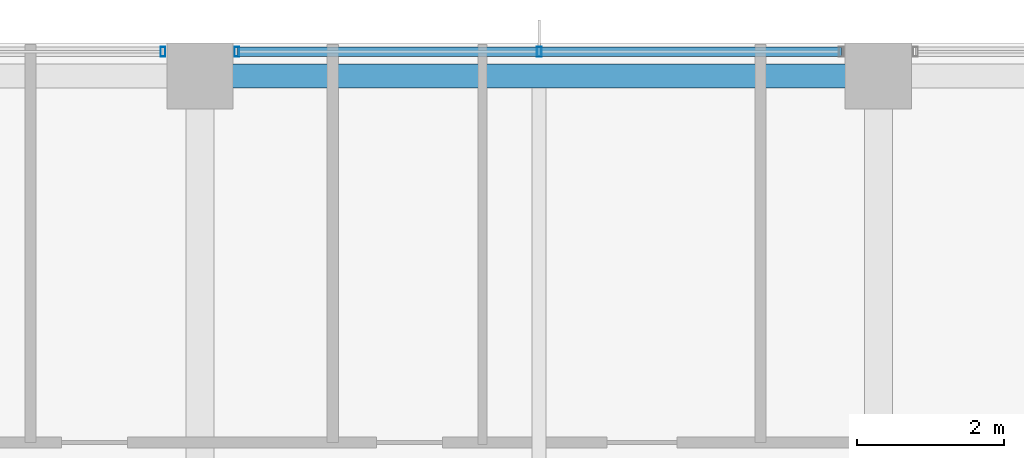
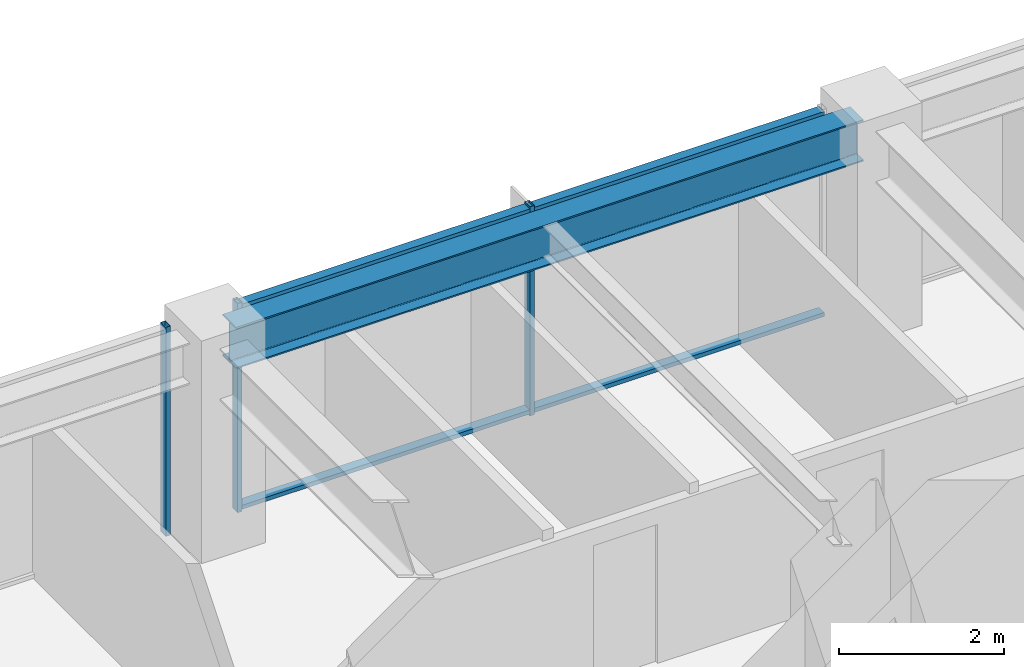
# One storey, part 20 of 33: 5 members, 1 beam, 2 elements without a shape of their own.
"""IFC4 building model written with IfcOpenShell, lengths in metres."""

from ifc_helpers import new_model, si_unit, direction, frame, origin, origin_2d, place, context, subcontext, project, spatial, hollow_rectangle, i_section, extrude, material, material_profile, profile_set, type_object, element, aggregate, save


model = new_model("IFC4")

# Units and contexts
model_context = context("Model", 3, precision=1e-05, world=origin(), true_north=direction((0.0, 1.0)))
body_context = subcontext(model_context, "Body", "Model", "MODEL_VIEW")
ifc_project = project(units=[si_unit("LENGTHUNIT", "METRE"), si_unit("AREAUNIT", "SQUARE_METRE"), si_unit("VOLUMEUNIT", "CUBIC_METRE"), si_unit("PLANEANGLEUNIT", "RADIAN"), si_unit("MASSUNIT", "GRAM", prefix="KILO")], contexts=[model_context])

# Site, building, storey
site_placement = place(None, origin())
site = spatial("IfcSite", under=ifc_project, at=site_placement, CompositionType="ELEMENT")
building_placement = place(site_placement, origin())
building = spatial("IfcBuilding", under=site, at=building_placement, Name="Kolvaren Belvedere", CompositionType="ELEMENT")
storey_placement = place(building_placement, frame((0.0, 0.0, 128.300048828125)))
storey = spatial("IfcBuildingStorey", under=building, at=storey_placement, Name="L37", CompositionType="ELEMENT", Elevation=128.300048828125)

# Beam
ifc_material_1 = material(Name="Structural steel ASTM A992 Grade 50", Category="steel")
ifc_material_profile_1 = material_profile(ifc_material_1, i_section(OverallWidth=0.324951171875, OverallDepth=0.615966796875, WebThickness=0.013916015625, FlangeThickness=0.021484375, FilletRadius=0.02001953125, at=origin_2d()), Name="W24X117")
ifc_profile_set_1 = profile_set([ifc_material_profile_1], Name="Structural steel ASTM A992 Grade 50")
beam_type = type_object("IfcBeamType", Name="BM-SPAN-W24X117", PredefinedType="SPANDREL", material=ifc_profile_set_1)
beam_placement = place(storey_placement, frame((4.3974609375, 17.550048828125, 2.7919921875), z_axis=(-1.0, 0.0, 0.0), x_axis=(0.0, -1.0, 0.0)))
element("IfcBeam", 1, at=beam_placement, inside=storey, type_object=beam_type, Name="L37 Perimeter Spandrel N3-N2", PredefinedType="SPANDREL", context=body_context, shape_type="SweptSolid", body=[
    extrude(i_section(OverallWidth=0.324951171875, OverallDepth=0.615966796875, WebThickness=0.013916015625, FlangeThickness=0.021484375, FilletRadius=0.02001953125, at=origin_2d()), origin(), (0.0, 0.0, 1.0), 8.794921875),
])

# Curtain wall, member
ifc_material_2 = material(Name="Anodised pale-metal aluminium AA 6063-T6", Category="aluminium")
curtain_wall_type = type_object("IfcCurtainWallType", Name="CW-Z3-WAIST", PredefinedType="NOTDEFINED", material=ifc_material_2)
curtain_wall_1_placement = place(storey_placement, origin())
curtain_wall_1 = element("IfcCurtainWall", 2, at=curtain_wall_1_placement, inside=storey, type_object=curtain_wall_type, Name="L37 Unitised Curtain Wall FCW-L37-N-B1", PredefinedType="NOTDEFINED")
ifc_material_3 = material(Name="Anodised pale-metal aluminium AA 6063-T6", Category="aluminium")
ifc_material_profile_2 = material_profile(ifc_material_3, hollow_rectangle(XDim=0.06494140625, YDim=0.1298828125, WallThickness=0.00390625, at=origin_2d()), Name="ALU-MUL-130X65")
ifc_profile_set_2 = profile_set([ifc_material_profile_2], Name="Anodised pale-metal aluminium AA 6063-T6")
member_type_1 = type_object("IfcMemberType", Name="CW-MUL-130", PredefinedType="MULLION", material=ifc_profile_set_2)
member_1_placement = place(storey_placement, frame((-5.1025390625, 17.8798828125, 0.0), z_axis=(0.0, 0.0, 1.0), x_axis=(1.0, 0.0, 0.0)))
member_1 = element("IfcMember", 3, at=member_1_placement, type_object=member_type_1, Name="FCW-L37-N-B1 Unitised Mullion 3", PredefinedType="MULLION", context=body_context, shape_type="SweptSolid", body=[
    extrude(hollow_rectangle(XDim=0.06494140625, YDim=0.1298828125, WallThickness=0.00390625, at=origin_2d()), origin(), (0.0, 0.0, 1.0), 3.099853515625),
])
aggregate(curtain_wall_1, [member_1])

# Curtain wall, members
curtain_wall_2_placement = place(storey_placement, origin())
curtain_wall_2 = element("IfcCurtainWall", 4, at=curtain_wall_2_placement, inside=storey, type_object=curtain_wall_type, Name="L37 Unitised Curtain Wall FCW-L37-N-B2", PredefinedType="NOTDEFINED")
member_2_placement = place(storey_placement, frame((-4.097412109375, 17.8798828125, 0.0), z_axis=(0.0, 0.0, 1.0), x_axis=(1.0, 0.0, 0.0)))
member_2 = element("IfcMember", 5, at=member_2_placement, type_object=member_type_1, Name="FCW-L37-N-B2 Unitised Mullion 1", PredefinedType="MULLION", context=body_context, shape_type="SweptSolid", body=[
    extrude(hollow_rectangle(XDim=0.06494140625, YDim=0.1298828125, WallThickness=0.00390625, at=origin_2d()), origin(), (0.0, 0.0, 1.0), 3.099853515625),
])
member_3_placement = place(storey_placement, frame((0.0, 17.8798828125, 0.0), z_axis=(0.0, 0.0, 1.0), x_axis=(1.0, 0.0, 0.0)))
member_3 = element("IfcMember", 6, at=member_3_placement, type_object=member_type_1, Name="FCW-L37-N-B2 Unitised Mullion 2", PredefinedType="MULLION", context=body_context, shape_type="SweptSolid", body=[
    extrude(hollow_rectangle(XDim=0.06494140625, YDim=0.1298828125, WallThickness=0.00390625, at=origin_2d()), origin(), (0.0, 0.0, 1.0), 3.099853515625),
])
ifc_material_4 = material(Name="Anodised pale-metal aluminium AA 6063-T6", Category="aluminium")
ifc_material_profile_3 = material_profile(ifc_material_4, hollow_rectangle(XDim=0.06005859375, YDim=0.1298828125, WallThickness=0.00390625, at=origin_2d()), Name="ALU-TRN-130X60")
ifc_profile_set_3 = profile_set([ifc_material_profile_3], Name="Anodised pale-metal aluminium AA 6063-T6")
member_type_2 = type_object("IfcMemberType", Name="CW-TRN-130", PredefinedType="USERDEFINED", material=ifc_profile_set_3)
member_4_placement = place(storey_placement, frame((-4.097412109375, 17.8798828125, 0.06005859375), z_axis=(1.0, 0.0, 0.0), x_axis=(0.0, 0.0, 1.0)))
member_4 = element("IfcMember", 7, at=member_4_placement, type_object=member_type_2, Name="FCW-L37-N-B2 Sill Transom", ObjectType="TRANSOM", PredefinedType="USERDEFINED", context=body_context, shape_type="SweptSolid", body=[
    extrude(hollow_rectangle(XDim=0.06005859375, YDim=0.1298828125, WallThickness=0.00390625, at=origin_2d()), origin(), (0.0, 0.0, 1.0), 8.19482421875),
])
member_5_placement = place(storey_placement, frame((-4.097412109375, 17.8798828125, 3.0400390625), z_axis=(1.0, 0.0, 0.0), x_axis=(0.0, 0.0, 1.0)))
member_5 = element("IfcMember", 8, at=member_5_placement, type_object=member_type_2, Name="FCW-L37-N-B2 Head Transom", ObjectType="TRANSOM", PredefinedType="USERDEFINED", context=body_context, shape_type="SweptSolid", body=[
    extrude(hollow_rectangle(XDim=0.06005859375, YDim=0.1298828125, WallThickness=0.00390625, at=origin_2d()), origin(), (0.0, 0.0, 1.0), 8.19482421875),
])
aggregate(curtain_wall_2, [member_2, member_3, member_4, member_5])

save(model, "model.ifc")
